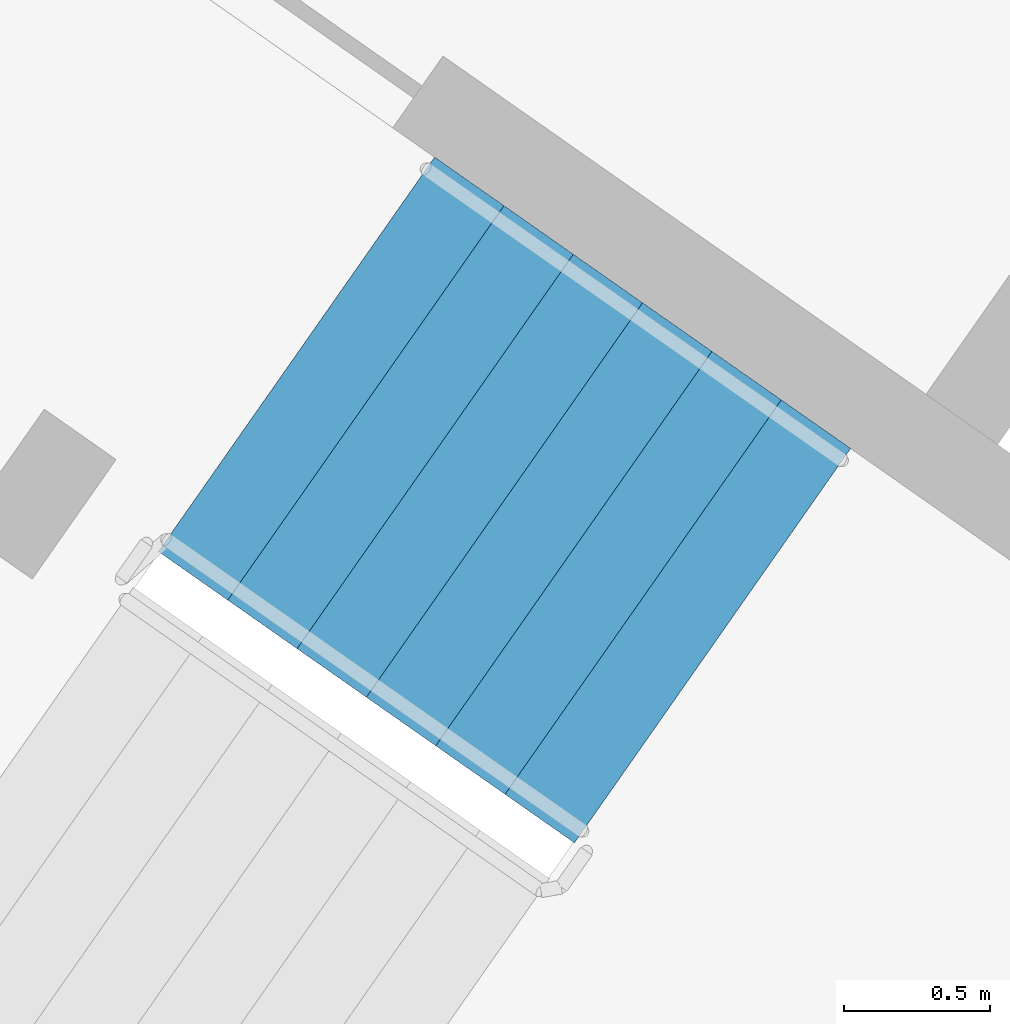
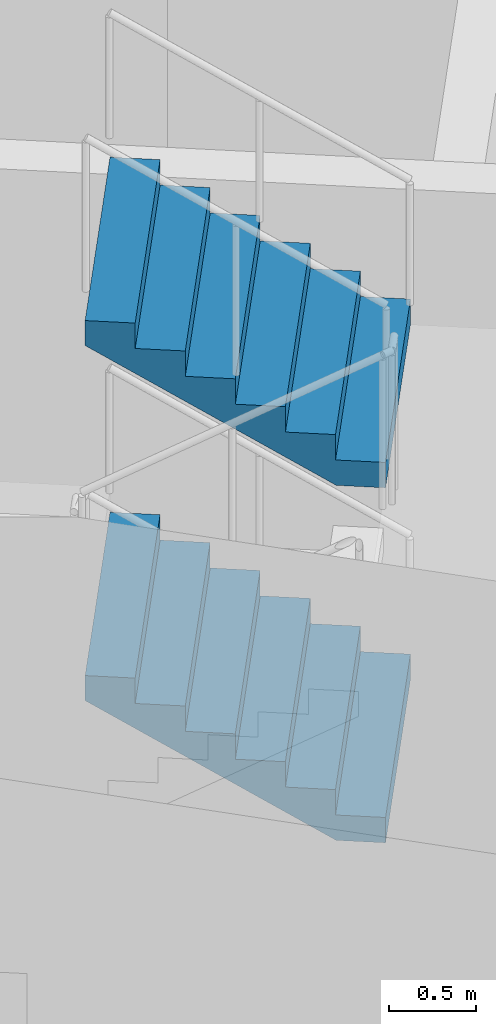
# One storey, part 16 of 25: 2 stair flights, 1 element without a shape of its own.
"""IFC4 building model written with IfcOpenShell, lengths in metres."""

from ifc_helpers import new_model, si_unit, direction, frame, origin, place, context, subcontext, project, spatial, faceted_brep, material, type_object, element, aggregate, save


model = new_model("IFC4")

# Units and contexts
model_context = context("Model", 3, precision=1e-05, world=origin(), true_north=direction((0.0, 1.0)))
body_context = subcontext(model_context, "Body", "Model", "MODEL_VIEW")
ifc_project = project(units=[si_unit("LENGTHUNIT", "METRE"), si_unit("AREAUNIT", "SQUARE_METRE"), si_unit("VOLUMEUNIT", "CUBIC_METRE"), si_unit("PLANEANGLEUNIT", "RADIAN"), si_unit("MASSUNIT", "GRAM", prefix="KILO")], contexts=[model_context])

# Site, building, storey
site_placement = place(None, origin())
site = spatial("IfcSite", under=ifc_project, at=site_placement, CompositionType="ELEMENT")
building_placement = place(site_placement, origin())
building = spatial("IfcBuilding", under=site, at=building_placement, Name="Qamariyya Broadcast Tower", CompositionType="ELEMENT")
storey_placement = place(building_placement, frame((0.0, 0.0, 144.300048828125)))
storey = spatial("IfcBuildingStorey", under=building, at=storey_placement, Name="L33", CompositionType="ELEMENT", Elevation=144.300048828125)

# Stair, stair flights
ifc_material = material(Name="Concrete C50/60", Category="concrete")
stair_type = type_object("IfcStairType", Name="Exit stair 28 risers of 179 mm", PredefinedType="HALF_TURN_STAIR", material=ifc_material)
stair_placement = place(storey_placement, origin())
stair = element("IfcStair", 1, at=stair_placement, inside=storey, type_object=stair_type, Name="L33 Stair W1", PredefinedType="HALF_TURN_STAIR")
stair_flight_type = type_object("IfcStairFlightType", Name="Exit stair flight 7 risers of 179 mm", PredefinedType="STRAIGHT", material=ifc_material)
stair_flight_1_placement = place(storey_placement, frame((-44.611083984375, -56.506103515625, 1.25), z_axis=(0.0, 0.0, 1.0), x_axis=(-0.819152044289, 0.573576436351, 0.0)))
stair_flight_1 = element("IfcStairFlight", 2, at=stair_flight_1_placement, type_object=stair_flight_type, Name="ST-W1 flight 2", NumberOfRisers=7, NumberOfTreads=6, PredefinedType="STRAIGHT", RiserHeight=0.178571429, TreadLength=0.29, context=body_context, shape_type="Brep", body=[
    faceted_brep([(0.0, 0.824951171875, 0.0), (0.0, 0.824951171875, 0.178466796875), (0.2900390625, 0.824951171875, 0.178466796875), (0.2900390625, 0.824951171875, 0.357177734375), (0.580078125, 0.824951171875, 0.357177734375), (0.580078125, 0.824951171875, 0.53564453125), (0.8701171875, 0.824951171875, 0.53564453125), (0.8701171875, 0.824951171875, 0.71435546875), (1.159912109375, 0.824951171875, 0.71435546875), (1.159912109375, 0.824951171875, 0.892822265625), (1.449951171875, 0.824951171875, 0.892822265625), (1.449951171875, 0.824951171875, 1.071533203125), (1.739990234375, 0.824951171875, 1.071533203125), (1.739990234375, 0.824951171875, 0.8955078125), (0.285888671875, 0.824951171875, 0.0), (0.285888671875, -0.824951171875, 0.0), (1.739990234375, -0.824951171875, 0.8955078125), (1.739990234375, -0.824951171875, 1.071533203125), (1.449951171875, -0.824951171875, 1.071533203125), (1.449951171875, -0.824951171875, 0.892822265625), (1.159912109375, -0.824951171875, 0.892822265625), (1.159912109375, -0.824951171875, 0.71435546875), (0.8701171875, -0.824951171875, 0.71435546875), (0.8701171875, -0.824951171875, 0.53564453125), (0.580078125, -0.824951171875, 0.53564453125), (0.580078125, -0.824951171875, 0.357177734375), (0.2900390625, -0.824951171875, 0.357177734375), (0.2900390625, -0.824951171875, 0.178466796875), (0.0, -0.824951171875, 0.178466796875), (0.0, -0.824951171875, 0.0), (0.0, 0.10009765625, 0.0), (0.0, 0.086669921875, 0.0), (0.0, 0.0732421875, 0.0), (0.0, 0.06005859375, 0.0), (0.0, 0.046630859375, 0.0), (0.0, 0.033447265625, 0.0), (0.0, 0.02001953125, 0.0), (0.0, 0.006591796875, 0.0), (0.0, -0.006591796875, 0.0), (0.0, -0.02001953125, 0.0), (0.0, -0.033447265625, 0.0), (0.0, -0.046630859375, 0.0), (0.0, -0.06005859375, 0.0), (0.0, -0.0732421875, 0.0), (0.0, -0.086669921875, 0.0), (0.0, -0.10009765625, 0.0), (0.0, -0.10009765625, 0.178466796875), (0.0, -0.086669921875, 0.178466796875), (0.0, -0.0732421875, 0.178466796875), (0.0, -0.06005859375, 0.178466796875), (0.0, -0.046630859375, 0.178466796875), (0.0, -0.033447265625, 0.178466796875), (0.0, -0.02001953125, 0.178466796875), (0.0, -0.006591796875, 0.178466796875), (0.0, 0.006591796875, 0.178466796875), (0.0, 0.02001953125, 0.178466796875), (0.0, 0.033447265625, 0.178466796875), (0.0, 0.046630859375, 0.178466796875), (0.0, 0.06005859375, 0.178466796875), (0.0, 0.0732421875, 0.178466796875), (0.0, 0.086669921875, 0.178466796875), (0.0, 0.10009765625, 0.178466796875), (0.2900390625, -0.10009765625, 0.178466796875), (0.2900390625, -0.086669921875, 0.178466796875), (0.2900390625, -0.0732421875, 0.178466796875), (0.2900390625, -0.06005859375, 0.178466796875), (0.2900390625, -0.046630859375, 0.178466796875), (0.2900390625, -0.033447265625, 0.178466796875), (0.2900390625, -0.02001953125, 0.178466796875), (0.2900390625, -0.006591796875, 0.178466796875), (0.2900390625, 0.006591796875, 0.178466796875), (0.2900390625, 0.02001953125, 0.178466796875), (0.2900390625, 0.033447265625, 0.178466796875), (0.2900390625, 0.046630859375, 0.178466796875), (0.2900390625, 0.06005859375, 0.178466796875), (0.2900390625, 0.0732421875, 0.178466796875), (0.2900390625, 0.086669921875, 0.178466796875), (0.2900390625, 0.10009765625, 0.178466796875), (0.2900390625, -0.10009765625, 0.357177734375), (0.2900390625, -0.086669921875, 0.357177734375), (0.2900390625, -0.0732421875, 0.357177734375), (0.2900390625, -0.06005859375, 0.357177734375), (0.2900390625, -0.046630859375, 0.357177734375), (0.2900390625, -0.033447265625, 0.357177734375), (0.2900390625, -0.02001953125, 0.357177734375), (0.2900390625, -0.006591796875, 0.357177734375), (0.2900390625, 0.006591796875, 0.357177734375), (0.2900390625, 0.02001953125, 0.357177734375), (0.2900390625, 0.033447265625, 0.357177734375), (0.2900390625, 0.046630859375, 0.357177734375), (0.2900390625, 0.06005859375, 0.357177734375), (0.2900390625, 0.0732421875, 0.357177734375), (0.2900390625, 0.086669921875, 0.357177734375), (0.2900390625, 0.10009765625, 0.357177734375), (0.580078125, -0.10009765625, 0.357177734375), (0.580078125, -0.086669921875, 0.357177734375), (0.580078125, -0.0732421875, 0.357177734375), (0.580078125, -0.06005859375, 0.357177734375), (0.580078125, -0.046630859375, 0.357177734375), (0.580078125, -0.033447265625, 0.357177734375), (0.580078125, -0.02001953125, 0.357177734375), (0.580078125, -0.006591796875, 0.357177734375), (0.580078125, 0.006591796875, 0.357177734375), (0.580078125, 0.02001953125, 0.357177734375), (0.580078125, 0.033447265625, 0.357177734375), (0.580078125, 0.046630859375, 0.357177734375), (0.580078125, 0.06005859375, 0.357177734375), (0.580078125, 0.0732421875, 0.357177734375), (0.580078125, 0.086669921875, 0.357177734375), (0.580078125, 0.10009765625, 0.357177734375), (0.580078125, -0.10009765625, 0.53564453125), (0.580078125, -0.086669921875, 0.53564453125), (0.580078125, -0.0732421875, 0.53564453125), (0.580078125, -0.06005859375, 0.53564453125), (0.580078125, -0.046630859375, 0.53564453125), (0.580078125, -0.033447265625, 0.53564453125), (0.580078125, -0.02001953125, 0.53564453125), (0.580078125, -0.006591796875, 0.53564453125), (0.580078125, 0.006591796875, 0.53564453125), (0.580078125, 0.02001953125, 0.53564453125), (0.580078125, 0.033447265625, 0.53564453125), (0.580078125, 0.046630859375, 0.53564453125), (0.580078125, 0.06005859375, 0.53564453125), (0.580078125, 0.0732421875, 0.53564453125), (0.580078125, 0.086669921875, 0.53564453125), (0.580078125, 0.10009765625, 0.53564453125), (0.8701171875, -0.10009765625, 0.53564453125), (0.8701171875, -0.086669921875, 0.53564453125), (0.8701171875, -0.0732421875, 0.53564453125), (0.8701171875, -0.06005859375, 0.53564453125), (0.8701171875, -0.046630859375, 0.53564453125), (0.8701171875, -0.033447265625, 0.53564453125), (0.8701171875, -0.02001953125, 0.53564453125), (0.8701171875, -0.006591796875, 0.53564453125), (0.8701171875, 0.006591796875, 0.53564453125), (0.8701171875, 0.02001953125, 0.53564453125), (0.8701171875, 0.033447265625, 0.53564453125), (0.8701171875, 0.046630859375, 0.53564453125), (0.8701171875, 0.06005859375, 0.53564453125), (0.8701171875, 0.0732421875, 0.53564453125), (0.8701171875, 0.086669921875, 0.53564453125), (0.8701171875, 0.10009765625, 0.53564453125), (0.8701171875, -0.10009765625, 0.71435546875), (0.8701171875, -0.086669921875, 0.71435546875), (0.8701171875, -0.0732421875, 0.71435546875), (0.8701171875, -0.06005859375, 0.71435546875), (0.8701171875, -0.046630859375, 0.71435546875), (0.8701171875, -0.033447265625, 0.71435546875), (0.8701171875, -0.02001953125, 0.71435546875), (0.8701171875, -0.006591796875, 0.71435546875), (0.8701171875, 0.006591796875, 0.71435546875), (0.8701171875, 0.02001953125, 0.71435546875), (0.8701171875, 0.033447265625, 0.71435546875), (0.8701171875, 0.046630859375, 0.71435546875), (0.8701171875, 0.06005859375, 0.71435546875), (0.8701171875, 0.0732421875, 0.71435546875), (0.8701171875, 0.086669921875, 0.71435546875), (0.8701171875, 0.10009765625, 0.71435546875), (1.159912109375, -0.10009765625, 0.71435546875), (1.159912109375, -0.086669921875, 0.71435546875), (1.159912109375, -0.0732421875, 0.71435546875), (1.159912109375, -0.06005859375, 0.71435546875), (1.159912109375, -0.046630859375, 0.71435546875), (1.159912109375, -0.033447265625, 0.71435546875), (1.159912109375, -0.02001953125, 0.71435546875), (1.159912109375, -0.006591796875, 0.71435546875), (1.159912109375, 0.006591796875, 0.71435546875), (1.159912109375, 0.02001953125, 0.71435546875), (1.159912109375, 0.033447265625, 0.71435546875), (1.159912109375, 0.046630859375, 0.71435546875), (1.159912109375, 0.06005859375, 0.71435546875), (1.159912109375, 0.0732421875, 0.71435546875), (1.159912109375, 0.086669921875, 0.71435546875), (1.159912109375, 0.10009765625, 0.71435546875), (1.159912109375, -0.10009765625, 0.892822265625), (1.159912109375, -0.086669921875, 0.892822265625), (1.159912109375, -0.0732421875, 0.892822265625), (1.159912109375, -0.06005859375, 0.892822265625), (1.159912109375, -0.046630859375, 0.892822265625), (1.159912109375, -0.033447265625, 0.892822265625), (1.159912109375, -0.02001953125, 0.892822265625), (1.159912109375, -0.006591796875, 0.892822265625), (1.159912109375, 0.006591796875, 0.892822265625), (1.159912109375, 0.02001953125, 0.892822265625), (1.159912109375, 0.033447265625, 0.892822265625), (1.159912109375, 0.046630859375, 0.892822265625), (1.159912109375, 0.06005859375, 0.892822265625), (1.159912109375, 0.0732421875, 0.892822265625), (1.159912109375, 0.086669921875, 0.892822265625), (1.159912109375, 0.10009765625, 0.892822265625), (1.449951171875, -0.10009765625, 0.892822265625), (1.449951171875, -0.086669921875, 0.892822265625), (1.449951171875, -0.0732421875, 0.892822265625), (1.449951171875, -0.06005859375, 0.892822265625), (1.449951171875, -0.046630859375, 0.892822265625), (1.449951171875, -0.033447265625, 0.892822265625), (1.449951171875, -0.02001953125, 0.892822265625), (1.449951171875, -0.006591796875, 0.892822265625), (1.449951171875, 0.006591796875, 0.892822265625), (1.449951171875, 0.02001953125, 0.892822265625), (1.449951171875, 0.033447265625, 0.892822265625), (1.449951171875, 0.046630859375, 0.892822265625), (1.449951171875, 0.06005859375, 0.892822265625), (1.449951171875, 0.0732421875, 0.892822265625), (1.449951171875, 0.086669921875, 0.892822265625), (1.449951171875, 0.10009765625, 0.892822265625), (1.449951171875, -0.10009765625, 1.071533203125), (1.449951171875, -0.086669921875, 1.071533203125), (1.449951171875, -0.0732421875, 1.071533203125), (1.449951171875, -0.06005859375, 1.071533203125), (1.449951171875, -0.046630859375, 1.071533203125), (1.449951171875, -0.033447265625, 1.071533203125), (1.449951171875, -0.02001953125, 1.071533203125), (1.449951171875, -0.006591796875, 1.071533203125), (1.449951171875, 0.006591796875, 1.071533203125), (1.449951171875, 0.02001953125, 1.071533203125), (1.449951171875, 0.033447265625, 1.071533203125), (1.449951171875, 0.046630859375, 1.071533203125), (1.449951171875, 0.06005859375, 1.071533203125), (1.449951171875, 0.0732421875, 1.071533203125), (1.449951171875, 0.086669921875, 1.071533203125), (1.449951171875, 0.10009765625, 1.071533203125), (1.739990234375, -0.10009765625, 1.071533203125), (1.739990234375, -0.086669921875, 1.071533203125), (1.739990234375, -0.0732421875, 1.071533203125), (1.739990234375, -0.06005859375, 1.071533203125), (1.739990234375, -0.046630859375, 1.071533203125), (1.739990234375, -0.033447265625, 1.071533203125), (1.739990234375, -0.02001953125, 1.071533203125), (1.739990234375, -0.006591796875, 1.071533203125), (1.739990234375, 0.006591796875, 1.071533203125), (1.739990234375, 0.02001953125, 1.071533203125), (1.739990234375, 0.033447265625, 1.071533203125), (1.739990234375, 0.046630859375, 1.071533203125), (1.739990234375, 0.06005859375, 1.071533203125), (1.739990234375, 0.0732421875, 1.071533203125), (1.739990234375, 0.086669921875, 1.071533203125), (1.739990234375, 0.10009765625, 1.071533203125), (1.739990234375, -0.10009765625, 0.8955078125), (1.739990234375, -0.086669921875, 0.8955078125), (1.739990234375, -0.0732421875, 0.8955078125), (1.739990234375, -0.06005859375, 0.8955078125), (1.739990234375, -0.046630859375, 0.8955078125), (1.739990234375, -0.033447265625, 0.8955078125), (1.739990234375, -0.02001953125, 0.8955078125), (1.739990234375, -0.006591796875, 0.8955078125), (1.739990234375, 0.006591796875, 0.8955078125), (1.739990234375, 0.02001953125, 0.8955078125), (1.739990234375, 0.033447265625, 0.8955078125), (1.739990234375, 0.046630859375, 0.8955078125), (1.739990234375, 0.06005859375, 0.8955078125), (1.739990234375, 0.0732421875, 0.8955078125), (1.739990234375, 0.086669921875, 0.8955078125), (1.739990234375, 0.10009765625, 0.8955078125), (0.285888671875, -0.10009765625, 0.0), (0.285888671875, -0.086669921875, 0.0), (0.285888671875, -0.0732421875, 0.0), (0.285888671875, -0.06005859375, 0.0), (0.285888671875, -0.046630859375, 0.0), (0.285888671875, -0.033447265625, 0.0), (0.285888671875, -0.02001953125, 0.0), (0.285888671875, -0.006591796875, 0.0), (0.285888671875, 0.006591796875, 0.0), (0.285888671875, 0.02001953125, 0.0), (0.285888671875, 0.033447265625, 0.0), (0.285888671875, 0.046630859375, 0.0), (0.285888671875, 0.06005859375, 0.0), (0.285888671875, 0.0732421875, 0.0), (0.285888671875, 0.086669921875, 0.0), (0.285888671875, 0.10009765625, 0.0)], [[[0, 1, 2, 3, 4, 5, 6, 7, 8, 9, 10, 11, 12, 13, 14]], [[15, 16, 17, 18, 19, 20, 21, 22, 23, 24, 25, 26, 27, 28, 29]], [[0, 30, 31, 32, 33, 34, 35, 36, 37, 38, 39, 40, 41, 42, 43, 44, 45, 29, 28, 46, 47, 48, 49, 50, 51, 52, 53, 54, 55, 56, 57, 58, 59, 60, 61, 1]], [[1, 61, 60, 59, 58, 57, 56, 55, 54, 53, 52, 51, 50, 49, 48, 47, 46, 28, 27, 62, 63, 64, 65, 66, 67, 68, 69, 70, 71, 72, 73, 74, 75, 76, 77, 2]], [[2, 77, 76, 75, 74, 73, 72, 71, 70, 69, 68, 67, 66, 65, 64, 63, 62, 27, 26, 78, 79, 80, 81, 82, 83, 84, 85, 86, 87, 88, 89, 90, 91, 92, 93, 3]], [[3, 93, 92, 91, 90, 89, 88, 87, 86, 85, 84, 83, 82, 81, 80, 79, 78, 26, 25, 94, 95, 96, 97, 98, 99, 100, 101, 102, 103, 104, 105, 106, 107, 108, 109, 4]], [[4, 109, 108, 107, 106, 105, 104, 103, 102, 101, 100, 99, 98, 97, 96, 95, 94, 25, 24, 110, 111, 112, 113, 114, 115, 116, 117, 118, 119, 120, 121, 122, 123, 124, 125, 5]], [[5, 125, 124, 123, 122, 121, 120, 119, 118, 117, 116, 115, 114, 113, 112, 111, 110, 24, 23, 126, 127, 128, 129, 130, 131, 132, 133, 134, 135, 136, 137, 138, 139, 140, 141, 6]], [[6, 141, 140, 139, 138, 137, 136, 135, 134, 133, 132, 131, 130, 129, 128, 127, 126, 23, 22, 142, 143, 144, 145, 146, 147, 148, 149, 150, 151, 152, 153, 154, 155, 156, 157, 7]], [[7, 157, 156, 155, 154, 153, 152, 151, 150, 149, 148, 147, 146, 145, 144, 143, 142, 22, 21, 158, 159, 160, 161, 162, 163, 164, 165, 166, 167, 168, 169, 170, 171, 172, 173, 8]], [[8, 173, 172, 171, 170, 169, 168, 167, 166, 165, 164, 163, 162, 161, 160, 159, 158, 21, 20, 174, 175, 176, 177, 178, 179, 180, 181, 182, 183, 184, 185, 186, 187, 188, 189, 9]], [[9, 189, 188, 187, 186, 185, 184, 183, 182, 181, 180, 179, 178, 177, 176, 175, 174, 20, 19, 190, 191, 192, 193, 194, 195, 196, 197, 198, 199, 200, 201, 202, 203, 204, 205, 10]], [[10, 205, 204, 203, 202, 201, 200, 199, 198, 197, 196, 195, 194, 193, 192, 191, 190, 19, 18, 206, 207, 208, 209, 210, 211, 212, 213, 214, 215, 216, 217, 218, 219, 220, 221, 11]], [[11, 221, 220, 219, 218, 217, 216, 215, 214, 213, 212, 211, 210, 209, 208, 207, 206, 18, 17, 222, 223, 224, 225, 226, 227, 228, 229, 230, 231, 232, 233, 234, 235, 236, 237, 12]], [[12, 237, 236, 235, 234, 233, 232, 231, 230, 229, 228, 227, 226, 225, 224, 223, 222, 17, 16, 238, 239, 240, 241, 242, 243, 244, 245, 246, 247, 248, 249, 250, 251, 252, 253, 13]], [[13, 253, 252, 251, 250, 249, 248, 247, 246, 245, 244, 243, 242, 241, 240, 239, 238, 16, 15, 254, 255, 256, 257, 258, 259, 260, 261, 262, 263, 264, 265, 266, 267, 268, 269, 14]], [[14, 269, 268, 267, 266, 265, 264, 263, 262, 261, 260, 259, 258, 257, 256, 255, 254, 15, 29, 45, 44, 43, 42, 41, 40, 39, 38, 37, 36, 35, 34, 33, 32, 31, 30, 0]]]),
])
stair_flight_2_placement = place(storey_placement, frame((-44.611083984375, -56.506103515625, 3.75), z_axis=(0.0, 0.0, 1.0), x_axis=(-0.819152044289, 0.573576436351, 0.0)))
stair_flight_2 = element("IfcStairFlight", 3, at=stair_flight_2_placement, type_object=stair_flight_type, Name="ST-W1 flight 4", NumberOfRisers=7, NumberOfTreads=6, PredefinedType="STRAIGHT", RiserHeight=0.178571429, TreadLength=0.29, context=body_context, shape_type="Brep", body=[
    faceted_brep([(0.0, 0.824951171875, 0.0), (0.0, 0.824951171875, 0.178466796875), (0.2900390625, 0.824951171875, 0.178466796875), (0.2900390625, 0.824951171875, 0.357177734375), (0.580078125, 0.824951171875, 0.357177734375), (0.580078125, 0.824951171875, 0.53564453125), (0.8701171875, 0.824951171875, 0.53564453125), (0.8701171875, 0.824951171875, 0.71435546875), (1.159912109375, 0.824951171875, 0.71435546875), (1.159912109375, 0.824951171875, 0.892822265625), (1.449951171875, 0.824951171875, 0.892822265625), (1.449951171875, 0.824951171875, 1.071533203125), (1.739990234375, 0.824951171875, 1.071533203125), (1.739990234375, 0.824951171875, 0.8955078125), (0.285888671875, 0.824951171875, 0.0), (0.285888671875, -0.824951171875, 0.0), (1.739990234375, -0.824951171875, 0.8955078125), (1.739990234375, -0.824951171875, 1.071533203125), (1.449951171875, -0.824951171875, 1.071533203125), (1.449951171875, -0.824951171875, 0.892822265625), (1.159912109375, -0.824951171875, 0.892822265625), (1.159912109375, -0.824951171875, 0.71435546875), (0.8701171875, -0.824951171875, 0.71435546875), (0.8701171875, -0.824951171875, 0.53564453125), (0.580078125, -0.824951171875, 0.53564453125), (0.580078125, -0.824951171875, 0.357177734375), (0.2900390625, -0.824951171875, 0.357177734375), (0.2900390625, -0.824951171875, 0.178466796875), (0.0, -0.824951171875, 0.178466796875), (0.0, -0.824951171875, 0.0), (0.0, 0.10009765625, 0.0), (0.0, 0.086669921875, 0.0), (0.0, 0.0732421875, 0.0), (0.0, 0.06005859375, 0.0), (0.0, 0.046630859375, 0.0), (0.0, 0.033447265625, 0.0), (0.0, 0.02001953125, 0.0), (0.0, 0.006591796875, 0.0), (0.0, -0.006591796875, 0.0), (0.0, -0.02001953125, 0.0), (0.0, -0.033447265625, 0.0), (0.0, -0.046630859375, 0.0), (0.0, -0.06005859375, 0.0), (0.0, -0.0732421875, 0.0), (0.0, -0.086669921875, 0.0), (0.0, -0.10009765625, 0.0), (0.0, -0.10009765625, 0.178466796875), (0.0, -0.086669921875, 0.178466796875), (0.0, -0.0732421875, 0.178466796875), (0.0, -0.06005859375, 0.178466796875), (0.0, -0.046630859375, 0.178466796875), (0.0, -0.033447265625, 0.178466796875), (0.0, -0.02001953125, 0.178466796875), (0.0, -0.006591796875, 0.178466796875), (0.0, 0.006591796875, 0.178466796875), (0.0, 0.02001953125, 0.178466796875), (0.0, 0.033447265625, 0.178466796875), (0.0, 0.046630859375, 0.178466796875), (0.0, 0.06005859375, 0.178466796875), (0.0, 0.0732421875, 0.178466796875), (0.0, 0.086669921875, 0.178466796875), (0.0, 0.10009765625, 0.178466796875), (0.2900390625, -0.10009765625, 0.178466796875), (0.2900390625, -0.086669921875, 0.178466796875), (0.2900390625, -0.0732421875, 0.178466796875), (0.2900390625, -0.06005859375, 0.178466796875), (0.2900390625, -0.046630859375, 0.178466796875), (0.2900390625, -0.033447265625, 0.178466796875), (0.2900390625, -0.02001953125, 0.178466796875), (0.2900390625, -0.006591796875, 0.178466796875), (0.2900390625, 0.006591796875, 0.178466796875), (0.2900390625, 0.02001953125, 0.178466796875), (0.2900390625, 0.033447265625, 0.178466796875), (0.2900390625, 0.046630859375, 0.178466796875), (0.2900390625, 0.06005859375, 0.178466796875), (0.2900390625, 0.0732421875, 0.178466796875), (0.2900390625, 0.086669921875, 0.178466796875), (0.2900390625, 0.10009765625, 0.178466796875), (0.2900390625, -0.10009765625, 0.357177734375), (0.2900390625, -0.086669921875, 0.357177734375), (0.2900390625, -0.0732421875, 0.357177734375), (0.2900390625, -0.06005859375, 0.357177734375), (0.2900390625, -0.046630859375, 0.357177734375), (0.2900390625, -0.033447265625, 0.357177734375), (0.2900390625, -0.02001953125, 0.357177734375), (0.2900390625, -0.006591796875, 0.357177734375), (0.2900390625, 0.006591796875, 0.357177734375), (0.2900390625, 0.02001953125, 0.357177734375), (0.2900390625, 0.033447265625, 0.357177734375), (0.2900390625, 0.046630859375, 0.357177734375), (0.2900390625, 0.06005859375, 0.357177734375), (0.2900390625, 0.0732421875, 0.357177734375), (0.2900390625, 0.086669921875, 0.357177734375), (0.2900390625, 0.10009765625, 0.357177734375), (0.580078125, -0.10009765625, 0.357177734375), (0.580078125, -0.086669921875, 0.357177734375), (0.580078125, -0.0732421875, 0.357177734375), (0.580078125, -0.06005859375, 0.357177734375), (0.580078125, -0.046630859375, 0.357177734375), (0.580078125, -0.033447265625, 0.357177734375), (0.580078125, -0.02001953125, 0.357177734375), (0.580078125, -0.006591796875, 0.357177734375), (0.580078125, 0.006591796875, 0.357177734375), (0.580078125, 0.02001953125, 0.357177734375), (0.580078125, 0.033447265625, 0.357177734375), (0.580078125, 0.046630859375, 0.357177734375), (0.580078125, 0.06005859375, 0.357177734375), (0.580078125, 0.0732421875, 0.357177734375), (0.580078125, 0.086669921875, 0.357177734375), (0.580078125, 0.10009765625, 0.357177734375), (0.580078125, -0.10009765625, 0.53564453125), (0.580078125, -0.086669921875, 0.53564453125), (0.580078125, -0.0732421875, 0.53564453125), (0.580078125, -0.06005859375, 0.53564453125), (0.580078125, -0.046630859375, 0.53564453125), (0.580078125, -0.033447265625, 0.53564453125), (0.580078125, -0.02001953125, 0.53564453125), (0.580078125, -0.006591796875, 0.53564453125), (0.580078125, 0.006591796875, 0.53564453125), (0.580078125, 0.02001953125, 0.53564453125), (0.580078125, 0.033447265625, 0.53564453125), (0.580078125, 0.046630859375, 0.53564453125), (0.580078125, 0.06005859375, 0.53564453125), (0.580078125, 0.0732421875, 0.53564453125), (0.580078125, 0.086669921875, 0.53564453125), (0.580078125, 0.10009765625, 0.53564453125), (0.8701171875, -0.10009765625, 0.53564453125), (0.8701171875, -0.086669921875, 0.53564453125), (0.8701171875, -0.0732421875, 0.53564453125), (0.8701171875, -0.06005859375, 0.53564453125), (0.8701171875, -0.046630859375, 0.53564453125), (0.8701171875, -0.033447265625, 0.53564453125), (0.8701171875, -0.02001953125, 0.53564453125), (0.8701171875, -0.006591796875, 0.53564453125), (0.8701171875, 0.006591796875, 0.53564453125), (0.8701171875, 0.02001953125, 0.53564453125), (0.8701171875, 0.033447265625, 0.53564453125), (0.8701171875, 0.046630859375, 0.53564453125), (0.8701171875, 0.06005859375, 0.53564453125), (0.8701171875, 0.0732421875, 0.53564453125), (0.8701171875, 0.086669921875, 0.53564453125), (0.8701171875, 0.10009765625, 0.53564453125), (0.8701171875, -0.10009765625, 0.71435546875), (0.8701171875, -0.086669921875, 0.71435546875), (0.8701171875, -0.0732421875, 0.71435546875), (0.8701171875, -0.06005859375, 0.71435546875), (0.8701171875, -0.046630859375, 0.71435546875), (0.8701171875, -0.033447265625, 0.71435546875), (0.8701171875, -0.02001953125, 0.71435546875), (0.8701171875, -0.006591796875, 0.71435546875), (0.8701171875, 0.006591796875, 0.71435546875), (0.8701171875, 0.02001953125, 0.71435546875), (0.8701171875, 0.033447265625, 0.71435546875), (0.8701171875, 0.046630859375, 0.71435546875), (0.8701171875, 0.06005859375, 0.71435546875), (0.8701171875, 0.0732421875, 0.71435546875), (0.8701171875, 0.086669921875, 0.71435546875), (0.8701171875, 0.10009765625, 0.71435546875), (1.159912109375, -0.10009765625, 0.71435546875), (1.159912109375, -0.086669921875, 0.71435546875), (1.159912109375, -0.0732421875, 0.71435546875), (1.159912109375, -0.06005859375, 0.71435546875), (1.159912109375, -0.046630859375, 0.71435546875), (1.159912109375, -0.033447265625, 0.71435546875), (1.159912109375, -0.02001953125, 0.71435546875), (1.159912109375, -0.006591796875, 0.71435546875), (1.159912109375, 0.006591796875, 0.71435546875), (1.159912109375, 0.02001953125, 0.71435546875), (1.159912109375, 0.033447265625, 0.71435546875), (1.159912109375, 0.046630859375, 0.71435546875), (1.159912109375, 0.06005859375, 0.71435546875), (1.159912109375, 0.0732421875, 0.71435546875), (1.159912109375, 0.086669921875, 0.71435546875), (1.159912109375, 0.10009765625, 0.71435546875), (1.159912109375, -0.10009765625, 0.892822265625), (1.159912109375, -0.086669921875, 0.892822265625), (1.159912109375, -0.0732421875, 0.892822265625), (1.159912109375, -0.06005859375, 0.892822265625), (1.159912109375, -0.046630859375, 0.892822265625), (1.159912109375, -0.033447265625, 0.892822265625), (1.159912109375, -0.02001953125, 0.892822265625), (1.159912109375, -0.006591796875, 0.892822265625), (1.159912109375, 0.006591796875, 0.892822265625), (1.159912109375, 0.02001953125, 0.892822265625), (1.159912109375, 0.033447265625, 0.892822265625), (1.159912109375, 0.046630859375, 0.892822265625), (1.159912109375, 0.06005859375, 0.892822265625), (1.159912109375, 0.0732421875, 0.892822265625), (1.159912109375, 0.086669921875, 0.892822265625), (1.159912109375, 0.10009765625, 0.892822265625), (1.449951171875, -0.10009765625, 0.892822265625), (1.449951171875, -0.086669921875, 0.892822265625), (1.449951171875, -0.0732421875, 0.892822265625), (1.449951171875, -0.06005859375, 0.892822265625), (1.449951171875, -0.046630859375, 0.892822265625), (1.449951171875, -0.033447265625, 0.892822265625), (1.449951171875, -0.02001953125, 0.892822265625), (1.449951171875, -0.006591796875, 0.892822265625), (1.449951171875, 0.006591796875, 0.892822265625), (1.449951171875, 0.02001953125, 0.892822265625), (1.449951171875, 0.033447265625, 0.892822265625), (1.449951171875, 0.046630859375, 0.892822265625), (1.449951171875, 0.06005859375, 0.892822265625), (1.449951171875, 0.0732421875, 0.892822265625), (1.449951171875, 0.086669921875, 0.892822265625), (1.449951171875, 0.10009765625, 0.892822265625), (1.449951171875, -0.10009765625, 1.071533203125), (1.449951171875, -0.086669921875, 1.071533203125), (1.449951171875, -0.0732421875, 1.071533203125), (1.449951171875, -0.06005859375, 1.071533203125), (1.449951171875, -0.046630859375, 1.071533203125), (1.449951171875, -0.033447265625, 1.071533203125), (1.449951171875, -0.02001953125, 1.071533203125), (1.449951171875, -0.006591796875, 1.071533203125), (1.449951171875, 0.006591796875, 1.071533203125), (1.449951171875, 0.02001953125, 1.071533203125), (1.449951171875, 0.033447265625, 1.071533203125), (1.449951171875, 0.046630859375, 1.071533203125), (1.449951171875, 0.06005859375, 1.071533203125), (1.449951171875, 0.0732421875, 1.071533203125), (1.449951171875, 0.086669921875, 1.071533203125), (1.449951171875, 0.10009765625, 1.071533203125), (1.739990234375, -0.10009765625, 1.071533203125), (1.739990234375, -0.086669921875, 1.071533203125), (1.739990234375, -0.0732421875, 1.071533203125), (1.739990234375, -0.06005859375, 1.071533203125), (1.739990234375, -0.046630859375, 1.071533203125), (1.739990234375, -0.033447265625, 1.071533203125), (1.739990234375, -0.02001953125, 1.071533203125), (1.739990234375, -0.006591796875, 1.071533203125), (1.739990234375, 0.006591796875, 1.071533203125), (1.739990234375, 0.02001953125, 1.071533203125), (1.739990234375, 0.033447265625, 1.071533203125), (1.739990234375, 0.046630859375, 1.071533203125), (1.739990234375, 0.06005859375, 1.071533203125), (1.739990234375, 0.0732421875, 1.071533203125), (1.739990234375, 0.086669921875, 1.071533203125), (1.739990234375, 0.10009765625, 1.071533203125), (1.739990234375, -0.10009765625, 0.8955078125), (1.739990234375, -0.086669921875, 0.8955078125), (1.739990234375, -0.0732421875, 0.8955078125), (1.739990234375, -0.06005859375, 0.8955078125), (1.739990234375, -0.046630859375, 0.8955078125), (1.739990234375, -0.033447265625, 0.8955078125), (1.739990234375, -0.02001953125, 0.8955078125), (1.739990234375, -0.006591796875, 0.8955078125), (1.739990234375, 0.006591796875, 0.8955078125), (1.739990234375, 0.02001953125, 0.8955078125), (1.739990234375, 0.033447265625, 0.8955078125), (1.739990234375, 0.046630859375, 0.8955078125), (1.739990234375, 0.06005859375, 0.8955078125), (1.739990234375, 0.0732421875, 0.8955078125), (1.739990234375, 0.086669921875, 0.8955078125), (1.739990234375, 0.10009765625, 0.8955078125), (0.285888671875, -0.10009765625, 0.0), (0.285888671875, -0.086669921875, 0.0), (0.285888671875, -0.0732421875, 0.0), (0.285888671875, -0.06005859375, 0.0), (0.285888671875, -0.046630859375, 0.0), (0.285888671875, -0.033447265625, 0.0), (0.285888671875, -0.02001953125, 0.0), (0.285888671875, -0.006591796875, 0.0), (0.285888671875, 0.006591796875, 0.0), (0.285888671875, 0.02001953125, 0.0), (0.285888671875, 0.033447265625, 0.0), (0.285888671875, 0.046630859375, 0.0), (0.285888671875, 0.06005859375, 0.0), (0.285888671875, 0.0732421875, 0.0), (0.285888671875, 0.086669921875, 0.0), (0.285888671875, 0.10009765625, 0.0)], [[[0, 1, 2, 3, 4, 5, 6, 7, 8, 9, 10, 11, 12, 13, 14]], [[15, 16, 17, 18, 19, 20, 21, 22, 23, 24, 25, 26, 27, 28, 29]], [[0, 30, 31, 32, 33, 34, 35, 36, 37, 38, 39, 40, 41, 42, 43, 44, 45, 29, 28, 46, 47, 48, 49, 50, 51, 52, 53, 54, 55, 56, 57, 58, 59, 60, 61, 1]], [[1, 61, 60, 59, 58, 57, 56, 55, 54, 53, 52, 51, 50, 49, 48, 47, 46, 28, 27, 62, 63, 64, 65, 66, 67, 68, 69, 70, 71, 72, 73, 74, 75, 76, 77, 2]], [[2, 77, 76, 75, 74, 73, 72, 71, 70, 69, 68, 67, 66, 65, 64, 63, 62, 27, 26, 78, 79, 80, 81, 82, 83, 84, 85, 86, 87, 88, 89, 90, 91, 92, 93, 3]], [[3, 93, 92, 91, 90, 89, 88, 87, 86, 85, 84, 83, 82, 81, 80, 79, 78, 26, 25, 94, 95, 96, 97, 98, 99, 100, 101, 102, 103, 104, 105, 106, 107, 108, 109, 4]], [[4, 109, 108, 107, 106, 105, 104, 103, 102, 101, 100, 99, 98, 97, 96, 95, 94, 25, 24, 110, 111, 112, 113, 114, 115, 116, 117, 118, 119, 120, 121, 122, 123, 124, 125, 5]], [[5, 125, 124, 123, 122, 121, 120, 119, 118, 117, 116, 115, 114, 113, 112, 111, 110, 24, 23, 126, 127, 128, 129, 130, 131, 132, 133, 134, 135, 136, 137, 138, 139, 140, 141, 6]], [[6, 141, 140, 139, 138, 137, 136, 135, 134, 133, 132, 131, 130, 129, 128, 127, 126, 23, 22, 142, 143, 144, 145, 146, 147, 148, 149, 150, 151, 152, 153, 154, 155, 156, 157, 7]], [[7, 157, 156, 155, 154, 153, 152, 151, 150, 149, 148, 147, 146, 145, 144, 143, 142, 22, 21, 158, 159, 160, 161, 162, 163, 164, 165, 166, 167, 168, 169, 170, 171, 172, 173, 8]], [[8, 173, 172, 171, 170, 169, 168, 167, 166, 165, 164, 163, 162, 161, 160, 159, 158, 21, 20, 174, 175, 176, 177, 178, 179, 180, 181, 182, 183, 184, 185, 186, 187, 188, 189, 9]], [[9, 189, 188, 187, 186, 185, 184, 183, 182, 181, 180, 179, 178, 177, 176, 175, 174, 20, 19, 190, 191, 192, 193, 194, 195, 196, 197, 198, 199, 200, 201, 202, 203, 204, 205, 10]], [[10, 205, 204, 203, 202, 201, 200, 199, 198, 197, 196, 195, 194, 193, 192, 191, 190, 19, 18, 206, 207, 208, 209, 210, 211, 212, 213, 214, 215, 216, 217, 218, 219, 220, 221, 11]], [[11, 221, 220, 219, 218, 217, 216, 215, 214, 213, 212, 211, 210, 209, 208, 207, 206, 18, 17, 222, 223, 224, 225, 226, 227, 228, 229, 230, 231, 232, 233, 234, 235, 236, 237, 12]], [[12, 237, 236, 235, 234, 233, 232, 231, 230, 229, 228, 227, 226, 225, 224, 223, 222, 17, 16, 238, 239, 240, 241, 242, 243, 244, 245, 246, 247, 248, 249, 250, 251, 252, 253, 13]], [[13, 253, 252, 251, 250, 249, 248, 247, 246, 245, 244, 243, 242, 241, 240, 239, 238, 16, 15, 254, 255, 256, 257, 258, 259, 260, 261, 262, 263, 264, 265, 266, 267, 268, 269, 14]], [[14, 269, 268, 267, 266, 265, 264, 263, 262, 261, 260, 259, 258, 257, 256, 255, 254, 15, 29, 45, 44, 43, 42, 41, 40, 39, 38, 37, 36, 35, 34, 33, 32, 31, 30, 0]]]),
])
aggregate(stair, [stair_flight_1, stair_flight_2])

save(model, "model.ifc")
